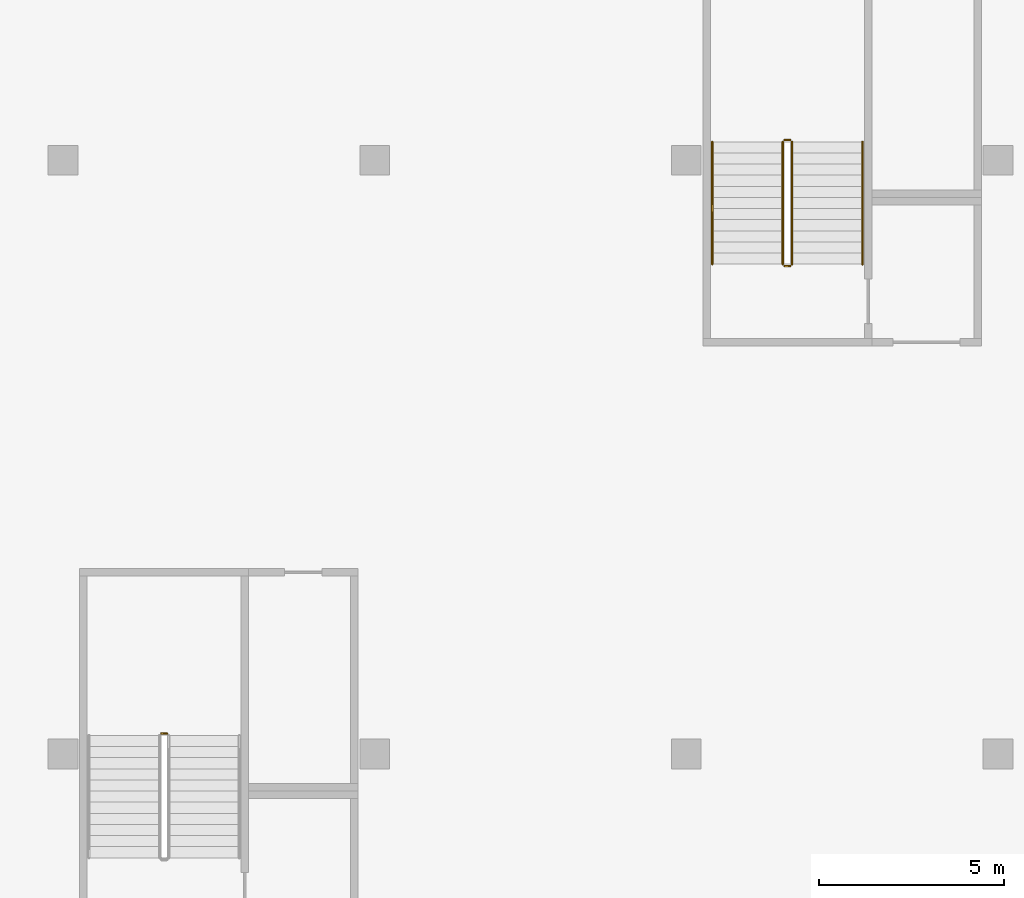
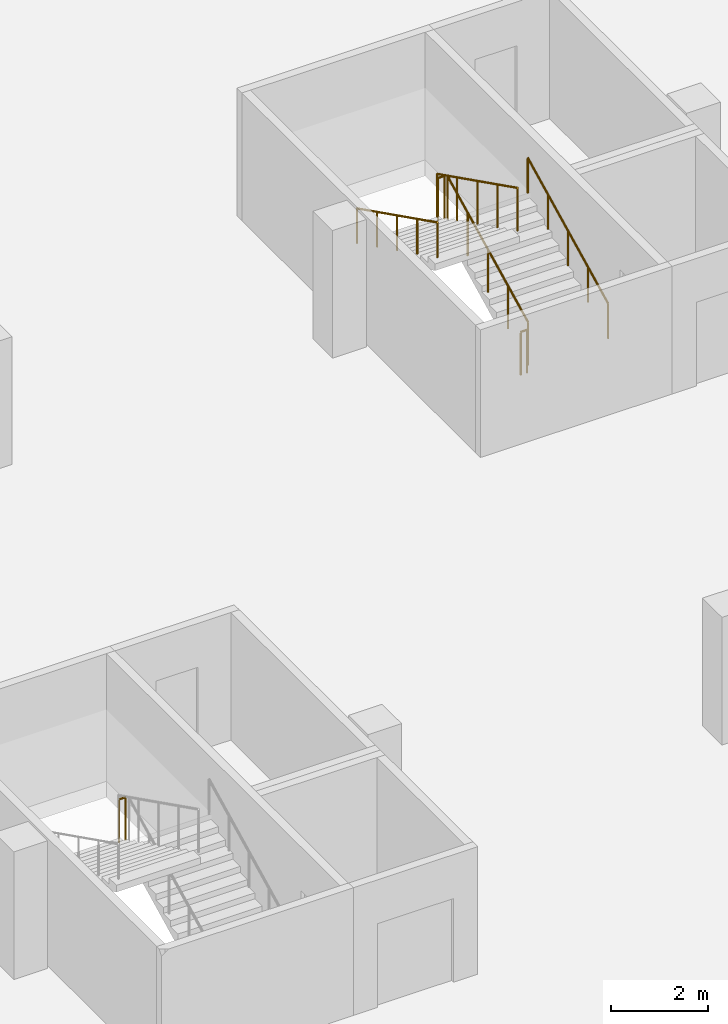
# One storey, part 37 of 37: 7 railings.
"""IFC4 building model written with IfcOpenShell, lengths in metres."""

from ifc_helpers import new_model, si_unit, direction, frame, origin, origin_2d, place, context, subcontext, project, spatial, circle, extrude, material, type_object, element, save


model = new_model("IFC4")

# Units and contexts
model_context = context("Model", 3, precision=1e-05, world=origin(), true_north=direction((0.0, 1.0)))
body_context = subcontext(model_context, "Body", "Model", "MODEL_VIEW")
ifc_project = project(units=[si_unit("LENGTHUNIT", "METRE"), si_unit("AREAUNIT", "SQUARE_METRE"), si_unit("VOLUMEUNIT", "CUBIC_METRE"), si_unit("PLANEANGLEUNIT", "RADIAN"), si_unit("MASSUNIT", "GRAM", prefix="KILO")], contexts=[model_context])

# Site, building, storey
site_placement = place(None, origin())
site = spatial("IfcSite", under=ifc_project, at=site_placement, CompositionType="ELEMENT")
building_placement = place(site_placement, origin())
building = spatial("IfcBuilding", under=site, at=building_placement, Name="Tamra Quay Hotel Tower", CompositionType="ELEMENT")
storey_placement = place(building_placement, frame((0.0, 0.0, -7.199951171875)))
storey = spatial("IfcBuildingStorey", under=building, at=storey_placement, Name="B2", CompositionType="ELEMENT", Elevation=-7.199951171875)

# Railings
ifc_material_1 = material(Name="Basement stair guard 1100")
railing_type_1 = type_object("IfcRailingType", Name="Basement stair guard 1100", PredefinedType="GUARDRAIL", material=ifc_material_1)
railing_1_placement = place(storey_placement, frame((6.10009765625, 48.550048828125, 1.800048828125)))
element("IfcRailing", 1, at=railing_1_placement, inside=storey, type_object=railing_type_1, Name="BSG", PredefinedType="GUARDRAIL", context=body_context, shape_type="SweptSolid", body=[
    extrude(circle(Radius=0.02392578125, at=origin_2d()), frame((0.0, 0.0, 1.076171875), z_axis=(-1.0, 0.0, 0.0), x_axis=(0.0, -1.0, 0.0)), (0.0, 0.0, 1.0), 0.150146484375),
    extrude(circle(Radius=0.02099609375, at=origin_2d()), origin(), (0.0, 0.0, 1.0), 1.052001953125),
    extrude(circle(Radius=0.02099609375, at=origin_2d()), frame((-0.150146484375, 0.0, 0.0)), (0.0, 0.0, 1.0), 1.052001953125),
])
railing_2_placement = place(storey_placement, frame((22.949951171875, 61.199951171875, 0.14990234375)))
element("IfcRailing", 2, at=railing_2_placement, inside=storey, type_object=railing_type_1, Name="BSG", PredefinedType="GUARDRAIL", context=body_context, shape_type="SweptSolid", body=[
    extrude(circle(Radius=0.02392578125, at=origin_2d()), frame((0.0, 0.0, 1.076171875), z_axis=(0.0, 0.894413956696, 0.447240063129), x_axis=(-1.0, 0.0, 0.0)), (0.0, 0.0, 1.0), 3.689697265625),
    extrude(circle(Radius=0.02099609375, at=origin_2d()), origin(), (0.0, 0.0, 1.0), 1.052001953125),
    extrude(circle(Radius=0.02099609375, at=origin_2d()), frame((0.0, 0.824951171875, 0.41259765625)), (0.0, 0.0, 1.0), 1.052001953125),
    extrude(circle(Radius=0.02099609375, at=origin_2d()), frame((0.0, 1.64990234375, 0.8251953125)), (0.0, 0.0, 1.0), 1.052001953125),
    extrude(circle(Radius=0.02099609375, at=origin_2d()), frame((0.0, 2.47509765625, 1.237548828125)), (0.0, 0.0, 1.0), 1.052001953125),
    extrude(circle(Radius=0.02099609375, at=origin_2d()), frame((0.0, 3.300048828125, 1.650146484375)), (0.0, 0.0, 1.0), 1.052001953125),
])
railing_3_placement = place(storey_placement, frame((22.89990234375, 64.550048828125, 1.800048828125)))
element("IfcRailing", 3, at=railing_3_placement, inside=storey, type_object=railing_type_1, Name="BSG", PredefinedType="GUARDRAIL", context=body_context, shape_type="SweptSolid", body=[
    extrude(circle(Radius=0.02392578125, at=origin_2d()), frame((0.0, 0.0, 1.076171875), z_axis=(-1.0, 0.0, 0.0), x_axis=(0.0, -1.0, 0.0)), (0.0, 0.0, 1.0), 0.14990234375),
    extrude(circle(Radius=0.02099609375, at=origin_2d()), origin(), (0.0, 0.0, 1.0), 1.052001953125),
    extrude(circle(Radius=0.02099609375, at=origin_2d()), frame((-0.14990234375, 0.0, 0.0)), (0.0, 0.0, 1.0), 1.052001953125),
])
railing_4_placement = place(storey_placement, frame((22.699951171875, 64.5, 1.949951171875)))
element("IfcRailing", 4, at=railing_4_placement, inside=storey, type_object=railing_type_1, Name="BSG", PredefinedType="GUARDRAIL", context=body_context, shape_type="SweptSolid", body=[
    extrude(circle(Radius=0.02392578125, at=origin_2d()), frame((0.0, 0.0, 1.076171875), z_axis=(0.0, -0.894440424912, 0.447187126696), x_axis=(1.0, 0.0, 0.0)), (0.0, 0.0, 1.0), 3.689453125),
    extrude(circle(Radius=0.02099609375, at=origin_2d()), origin(), (0.0, 0.0, 1.0), 1.052001953125),
    extrude(circle(Radius=0.02099609375, at=origin_2d()), frame((0.0, -0.824951171875, 0.41259765625)), (0.0, 0.0, 1.0), 1.052001953125),
    extrude(circle(Radius=0.02099609375, at=origin_2d()), frame((0.0, -1.64990234375, 0.824951171875)), (0.0, 0.0, 1.0), 1.052001953125),
    extrude(circle(Radius=0.02099609375, at=origin_2d()), frame((0.0, -2.47509765625, 1.2373046875)), (0.0, 0.0, 1.0), 1.052001953125),
    extrude(circle(Radius=0.02099609375, at=origin_2d()), frame((0.0, -3.300048828125, 1.64990234375)), (0.0, 0.0, 1.0), 1.052001953125),
])
railing_5_placement = place(storey_placement, frame((22.89990234375, 61.14990234375, 0.0)))
element("IfcRailing", 5, at=railing_5_placement, inside=storey, type_object=railing_type_1, Name="BSG", PredefinedType="GUARDRAIL", context=body_context, shape_type="SweptSolid", body=[
    extrude(circle(Radius=0.02392578125, at=origin_2d()), frame((0.0, 0.0, 1.076171875), z_axis=(-1.0, 0.0, 0.0), x_axis=(0.0, -1.0, 0.0)), (0.0, 0.0, 1.0), 0.14990234375),
    extrude(circle(Radius=0.02099609375, at=origin_2d()), origin(), (0.0, 0.0, 1.0), 1.052001953125),
    extrude(circle(Radius=0.02099609375, at=origin_2d()), frame((-0.14990234375, 0.0, 0.0)), (0.0, 0.0, 1.0), 1.052001953125),
])
ifc_material_2 = material(Name="Basement stair handrail 900")
railing_type_2 = type_object("IfcRailingType", Name="Basement stair handrail 900", PredefinedType="HANDRAIL", material=ifc_material_2)
railing_6_placement = place(storey_placement, frame((24.85009765625, 61.199951171875, 0.14990234375)))
element("IfcRailing", 6, at=railing_6_placement, inside=storey, type_object=railing_type_2, Name="BSH", PredefinedType="HANDRAIL", context=body_context, shape_type="SweptSolid", body=[
    extrude(circle(Radius=0.02392578125, at=origin_2d()), frame((0.0, 0.0, 0.8759765625), z_axis=(0.0, 0.894413956696, 0.447240063129), x_axis=(-1.0, 0.0, 0.0)), (0.0, 0.0, 1.0), 3.689697265625),
    extrude(circle(Radius=0.02099609375, at=origin_2d()), origin(), (0.0, 0.0, 1.0), 0.851806640625),
    extrude(circle(Radius=0.02099609375, at=origin_2d()), frame((0.0, 0.824951171875, 0.41259765625)), (0.0, 0.0, 1.0), 0.851806640625),
    extrude(circle(Radius=0.02099609375, at=origin_2d()), frame((0.0, 1.64990234375, 0.8251953125)), (0.0, 0.0, 1.0), 0.851806640625),
    extrude(circle(Radius=0.02099609375, at=origin_2d()), frame((0.0, 2.47509765625, 1.237548828125)), (0.0, 0.0, 1.0), 0.851806640625),
    extrude(circle(Radius=0.02099609375, at=origin_2d()), frame((0.0, 3.300048828125, 1.650146484375)), (0.0, 0.0, 1.0), 0.851806640625),
])
railing_7_placement = place(storey_placement, frame((20.800048828125, 64.5, 1.949951171875)))
element("IfcRailing", 7, at=railing_7_placement, inside=storey, type_object=railing_type_2, Name="BSH", PredefinedType="HANDRAIL", context=body_context, shape_type="SweptSolid", body=[
    extrude(circle(Radius=0.02392578125, at=origin_2d()), frame((0.0, 0.0, 0.8759765625), z_axis=(0.0, -0.894440424912, 0.447187126696), x_axis=(1.0, 0.0, 0.0)), (0.0, 0.0, 1.0), 3.689453125),
    extrude(circle(Radius=0.02099609375, at=origin_2d()), origin(), (0.0, 0.0, 1.0), 0.851806640625),
    extrude(circle(Radius=0.02099609375, at=origin_2d()), frame((0.0, -0.824951171875, 0.41259765625)), (0.0, 0.0, 1.0), 0.851806640625),
    extrude(circle(Radius=0.02099609375, at=origin_2d()), frame((0.0, -1.64990234375, 0.824951171875)), (0.0, 0.0, 1.0), 0.851806640625),
    extrude(circle(Radius=0.02099609375, at=origin_2d()), frame((0.0, -2.47509765625, 1.2373046875)), (0.0, 0.0, 1.0), 0.851806640625),
    extrude(circle(Radius=0.02099609375, at=origin_2d()), frame((0.0, -3.300048828125, 1.64990234375)), (0.0, 0.0, 1.0), 0.851806640625),
])

save(model, "model.ifc")
